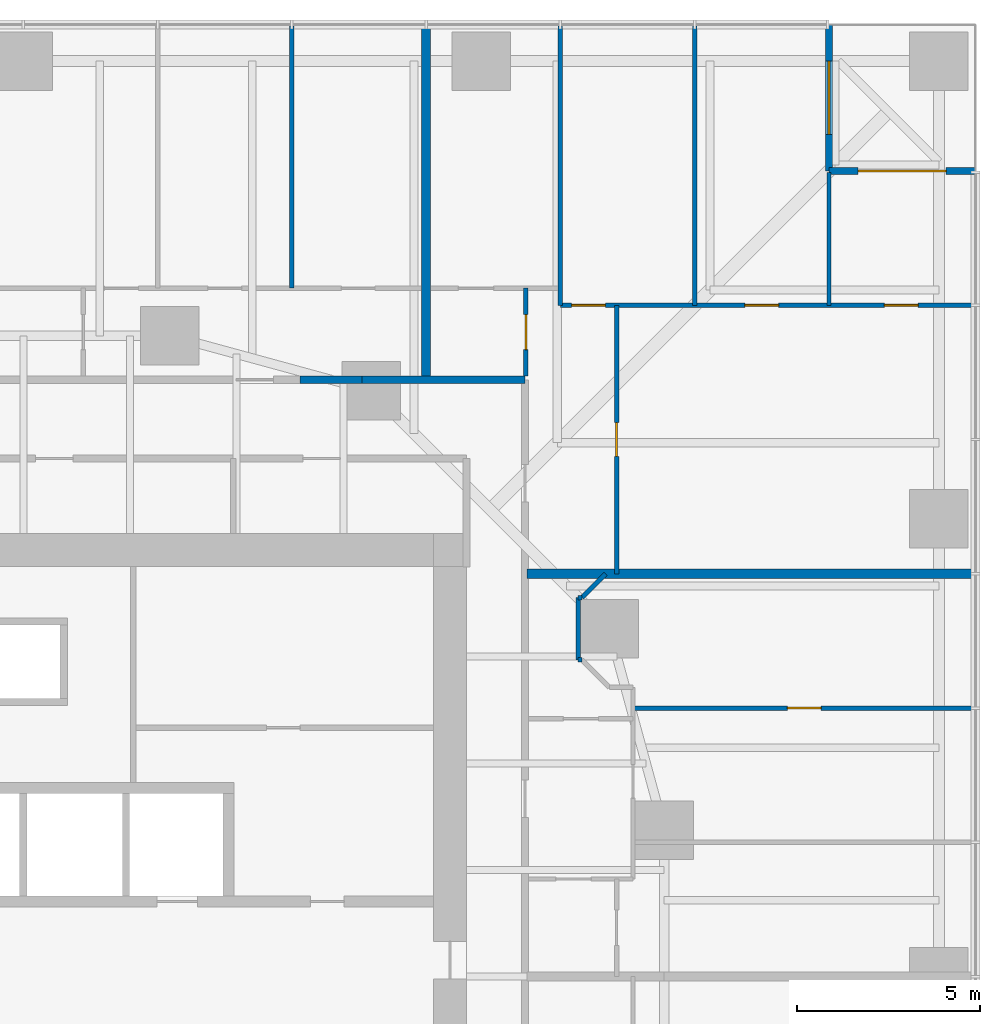
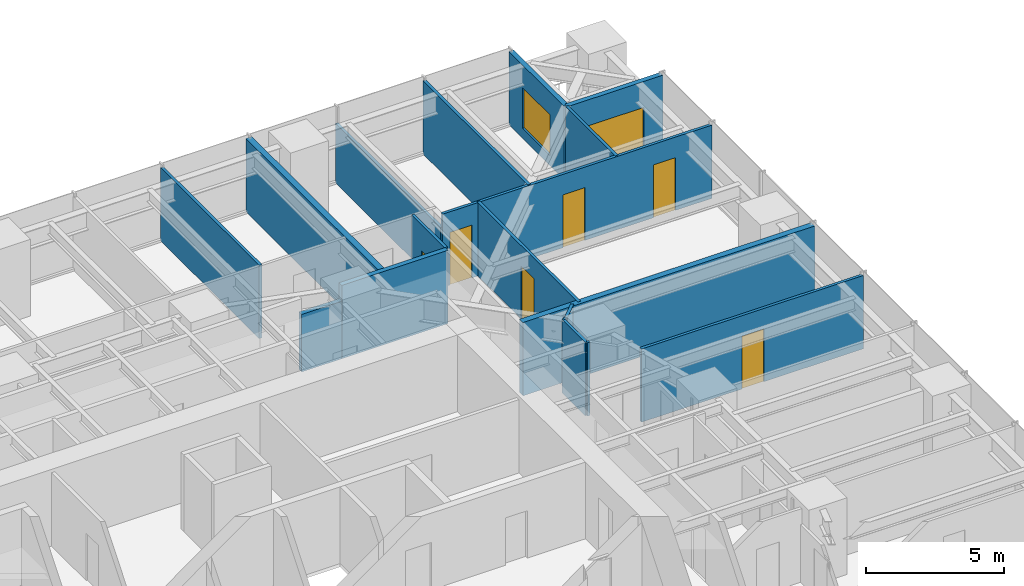
# One storey, part 16 of 18: 18 walls, 7 doors, 1 window, 8 openings.
"""IFC4 building model written with IfcOpenShell, lengths in metres."""

from ifc_helpers import new_model, si_unit, direction, frame, frame_2d, origin, place, context, subcontext, project, spatial, rectangle, extrude, material, layer, layer_set, type_object, element, fill, save


model = new_model("IFC4")

# Units and contexts
model_context = context("Model", 3, precision=1e-05, world=origin(), true_north=direction((0.0, 1.0)))
body_context = subcontext(model_context, "Body", "Model", "MODEL_VIEW")
ifc_project = project(units=[si_unit("LENGTHUNIT", "METRE"), si_unit("AREAUNIT", "SQUARE_METRE"), si_unit("VOLUMEUNIT", "CUBIC_METRE"), si_unit("PLANEANGLEUNIT", "RADIAN"), si_unit("MASSUNIT", "GRAM", prefix="KILO")], contexts=[model_context])

# Site, building, storey
site_placement = place(None, origin())
site = spatial("IfcSite", under=ifc_project, at=site_placement, CompositionType="ELEMENT")
building_placement = place(site_placement, origin())
building = spatial("IfcBuilding", under=site, at=building_placement, Name="Torsade Residences", CompositionType="ELEMENT")
storey_placement = place(building_placement, frame((0.0, 0.0, 28.60009765625)))
storey = spatial("IfcBuildingStorey", under=building, at=storey_placement, Name="L07", CompositionType="ELEMENT", Elevation=28.60009765625)

# Walls
ifc_material_1 = material(Name="Plasterboard on steel stud", Category="steel")
ifc_layer_1 = layer(ifc_material_1, 0.199951171875)
ifc_layer_set_1 = layer_set([ifc_layer_1], Name="Plasterboard on steel stud")
wall_type_1 = type_object("IfcWallType", Name="CORRIDOR WALL 200", PredefinedType="PARTITIONING", material=ifc_layer_set_1)
wall_1_placement = place(storey_placement, frame((53.699951171875, 46.300048828125, 0.0), z_axis=(0.0, 0.0, 1.0), x_axis=(-1.0, 0.0, 0.0)))
element("IfcWall", 1, at=wall_1_placement, inside=storey, type_object=wall_type_1, Name="Corridor wall L07", PredefinedType="PARTITIONING", context=body_context, shape_type="SweptSolid", body=[
    extrude(rectangle(XDim=4.458251953125, YDim=0.199951171875, at=frame_2d((2.22900390625, 0.0))), origin(), (0.0, 0.0, 1.0), 3.25),
])
wall_2_placement = place(storey_placement, frame((49.24169921875, 46.300048828125, 0.0), z_axis=(0.0, 0.0, 1.0), x_axis=(-1.0, 0.0, 0.0)))
element("IfcWall", 2, at=wall_2_placement, inside=storey, type_object=wall_type_1, Name="Corridor wall L07", PredefinedType="PARTITIONING", context=body_context, shape_type="SweptSolid", body=[
    extrude(rectangle(XDim=1.683349609375, YDim=0.199951171875, at=frame_2d((0.841796875, 0.0))), origin(), (0.0, 0.0, 1.0), 2.5498046875),
])
ifc_material_2 = material(Name="Plasterboard on steel stud", Category="steel")
ifc_layer_2 = layer(ifc_material_2, 0.1201171875)
ifc_layer_set_2 = layer_set([ifc_layer_2], Name="Plasterboard on steel stud")
wall_type_2 = type_object("IfcWallType", Name="PARTITION 120", PredefinedType="PARTITIONING", material=ifc_layer_set_2)
wall_3_placement = place(storey_placement, frame((55.89990234375, 41.0, 0.0), z_axis=(0.0, 0.0, 1.0), x_axis=(-0.707106781187, -0.707106781187, 0.0)))
element("IfcWall", 3, at=wall_3_placement, inside=storey, type_object=wall_type_2, Name="Partition L07", PredefinedType="PARTITIONING", context=body_context, shape_type="SweptSolid", body=[
    extrude(rectangle(XDim=0.919189453125, YDim=0.1201171875, at=frame_2d((0.45947265625, 0.0))), origin(), (0.0, 0.0, 1.0), 3.25),
])
wall_4_placement = place(storey_placement, frame((55.14990234375, 40.35009765625, 0.0), z_axis=(0.0, 0.0, 1.0), x_axis=(0.0, -1.0, 0.0)))
element("IfcWall", 4, at=wall_4_placement, inside=storey, type_object=wall_type_2, Name="Partition L07", PredefinedType="PARTITIONING", context=body_context, shape_type="SweptSolid", body=[
    extrude(rectangle(XDim=1.7001953125, YDim=0.1201171875, at=frame_2d((0.85009765625, 0.0))), origin(), (0.0, 0.0, 1.0), 3.25),
])

# Wall, opening, door
wall_5_placement = place(storey_placement, frame((65.9599609375, 37.333251953125, 0.0), z_axis=(0.0, 0.0, 1.0), x_axis=(-1.0, 0.0, 0.0)))
wall_5 = element("IfcWall", 5, at=wall_5_placement, inside=storey, type_object=wall_type_2, Name="Partition L07", PredefinedType="PARTITIONING", context=body_context, shape_type="SweptSolid", body=[
    extrude(rectangle(XDim=9.31005859375, YDim=0.1201171875, at=frame_2d((4.655029296875, 0.0))), origin(), (0.0, 0.0, 1.0), 3.25),
])
opening_1_placement = place(wall_5_placement, frame((4.175048828125, 0.0, 0.0)))
opening_1 = element("IfcOpeningElement", 6, at=opening_1_placement, cuts=wall_5, Name="Opening D02", PredefinedType="OPENING", context=body_context, shape_type="SweptSolid", body=[
    extrude(rectangle(XDim=0.919921875, YDim=2.340087890625, at=frame_2d((0.4599609375, 1.169921875))), frame((0.0, 0.070068359375, 0.0), z_axis=(0.0, -1.0, 0.0), x_axis=(1.0, 0.0, 0.0)), (0.0, 0.0, 1.0), 0.14013671875),
])
ifc_material_3 = material(Name="Hollow-core timber door", Category="wood")
door_type_1 = type_object("IfcDoorType", Name="INTERNAL DOOR 920x2340", OperationType="NOTDEFINED", PredefinedType="DOOR", material=ifc_material_3)
door_1_placement = place(opening_1_placement, origin())
door_1 = element("IfcDoor", 7, at=door_1_placement, inside=storey, type_object=door_type_1, Name="Door Bedroom 2 to Bedroom 1", OperationType="SINGLE_SWING_LEFT", OverallHeight=2.340087890625, OverallWidth=0.919921875, PredefinedType="DOOR", context=body_context, shape_type="SweptSolid", body=[
    extrude(rectangle(XDim=0.919921875, YDim=2.340087890625, at=frame_2d((0.4599609375, 1.169921875))), frame((0.0, 0.02490234375, 0.0), z_axis=(0.0, -1.0, 0.0), x_axis=(1.0, 0.0, 0.0)), (0.0, 0.0, 1.0), 0.050048828125),
])
fill(opening_1, door_1)

wall_6_placement = place(storey_placement, frame((53.724365234375, 46.39990234375, 0.0), z_axis=(0.0, 0.0, 1.0), x_axis=(0.0, 1.0, 0.0)))
wall_6 = element("IfcWall", 8, at=wall_6_placement, inside=storey, type_object=wall_type_2, Name="Partition L07", PredefinedType="PARTITIONING", context=body_context, shape_type="SweptSolid", body=[
    extrude(rectangle(XDim=2.400146484375, YDim=0.1201171875, at=frame_2d((1.2001953125, 0.0))), origin(), (0.0, 0.0, 1.0), 3.25),
])
opening_2_placement = place(wall_6_placement, frame((0.719970703125, 0.0, 0.0)))
opening_2 = element("IfcOpeningElement", 9, at=opening_2_placement, cuts=wall_6, Name="Opening D05", PredefinedType="OPENING", context=body_context, shape_type="SweptSolid", body=[
    extrude(rectangle(XDim=0.9599609375, YDim=2.10009765625, at=frame_2d((0.47998046875, 1.050048828125))), frame((0.0, 0.070068359375, 0.0), z_axis=(0.0, -1.0, 0.0), x_axis=(1.0, 0.0, 0.0)), (0.0, 0.0, 1.0), 0.14013671875),
])
ifc_material_4 = material(Name="Hollow-core timber door in a steel cavity frame", Category="steel")
door_type_2 = type_object("IfcDoorType", Name="BATHROOM CAVITY SLIDING DOOR 960", OperationType="SLIDING_TO_LEFT", PredefinedType="DOOR", material=ifc_material_4)
door_2_placement = place(opening_2_placement, origin())
door_2 = element("IfcDoor", 10, at=door_2_placement, inside=storey, type_object=door_type_2, Name="Door Kitchen and dining to Bathroom", OperationType="SLIDING_TO_LEFT", OverallHeight=2.10009765625, OverallWidth=0.9599609375, PredefinedType="DOOR", context=body_context, shape_type="SweptSolid", body=[
    extrude(rectangle(XDim=0.9599609375, YDim=2.10009765625, at=frame_2d((0.47998046875, 1.050048828125))), frame((0.0, 0.02490234375, 0.0), z_axis=(0.0, -1.0, 0.0), x_axis=(1.0, 0.0, 0.0)), (0.0, 0.0, 1.0), 0.050048828125),
])
fill(opening_2, door_2)

wall_7_placement = place(storey_placement, frame((56.199951171875, 48.333251953125, 0.0), z_axis=(0.0, 0.0, 1.0), x_axis=(0.0, -1.0, 0.0)))
wall_7 = element("IfcWall", 11, at=wall_7_placement, inside=storey, type_object=wall_type_2, Name="Partition L07", PredefinedType="PARTITIONING", context=body_context, shape_type="SweptSolid", body=[
    extrude(rectangle(XDim=7.333251953125, YDim=0.1201171875, at=frame_2d((3.66650390625, 0.0))), origin(), (0.0, 0.0, 1.0), 3.25),
])
opening_3_placement = place(wall_7_placement, frame((3.20654296875, 0.0, 0.0)))
opening_3 = element("IfcOpeningElement", 12, at=opening_3_placement, cuts=wall_7, Name="Opening D02", PredefinedType="OPENING", context=body_context, shape_type="SweptSolid", body=[
    extrude(rectangle(XDim=0.919921875, YDim=2.340087890625, at=frame_2d((0.4599609375, 1.169921875))), frame((0.0, 0.070068359375, 0.0), z_axis=(0.0, -1.0, 0.0), x_axis=(1.0, 0.0, 0.0)), (0.0, 0.0, 1.0), 0.14013671875),
])
door_3_placement = place(opening_3_placement, origin())
door_3 = element("IfcDoor", 13, at=door_3_placement, inside=storey, type_object=door_type_1, Name="Door Kitchen and dining to Living room", OperationType="SINGLE_SWING_RIGHT", OverallHeight=2.340087890625, OverallWidth=0.919921875, PredefinedType="DOOR", context=body_context, shape_type="SweptSolid", body=[
    extrude(rectangle(XDim=0.919921875, YDim=2.340087890625, at=frame_2d((0.4599609375, 1.169921875))), frame((0.0, 0.02490234375, 0.0), z_axis=(0.0, -1.0, 0.0), x_axis=(1.0, 0.0, 0.0)), (0.0, 0.0, 1.0), 0.050048828125),
])
fill(opening_3, door_3)

# Wall
wall_8_placement = place(storey_placement, frame((54.666748046875, 55.9599609375, 0.0), z_axis=(0.0, 0.0, 1.0), x_axis=(0.0, -1.0, 0.0)))
element("IfcWall", 14, at=wall_8_placement, inside=storey, type_object=wall_type_2, Name="Partition L07", PredefinedType="PARTITIONING", context=body_context, shape_type="SweptSolid", body=[
    extrude(rectangle(XDim=7.626708984375, YDim=0.1201171875, at=frame_2d((3.8134765625, 0.0))), origin(), (0.0, 0.0, 1.0), 2.637939453125),
])

# Wall, openings, doors
wall_9_placement = place(storey_placement, frame((54.666748046875, 48.333251953125, 0.0), z_axis=(0.0, 0.0, 1.0), x_axis=(1.0, 0.0, 0.0)))
wall_9 = element("IfcWall", 15, at=wall_9_placement, inside=storey, type_object=wall_type_2, Name="Partition L07", PredefinedType="PARTITIONING", context=body_context, shape_type="SweptSolid", body=[
    extrude(rectangle(XDim=11.293212890625, YDim=0.1201171875, at=frame_2d((5.646484375, 0.0))), origin(), (0.0, 0.0, 1.0), 3.25),
])
opening_4_placement = place(wall_9_placement, frame((0.306640625, 0.0, 0.0)))
opening_4 = element("IfcOpeningElement", 16, at=opening_4_placement, cuts=wall_9, Name="Opening D02", PredefinedType="OPENING", context=body_context, shape_type="SweptSolid", body=[
    extrude(rectangle(XDim=0.919921875, YDim=2.340087890625, at=frame_2d((0.4599609375, 1.169921875))), frame((0.0, 0.070068359375, 0.0), z_axis=(0.0, -1.0, 0.0), x_axis=(1.0, 0.0, 0.0)), (0.0, 0.0, 1.0), 0.14013671875),
])
opening_5_placement = place(wall_9_placement, frame((8.848388671875, 0.0, 0.0)))
opening_5 = element("IfcOpeningElement", 17, at=opening_5_placement, cuts=wall_9, Name="Opening D02", PredefinedType="OPENING", context=body_context, shape_type="SweptSolid", body=[
    extrude(rectangle(XDim=0.919921875, YDim=2.340087890625, at=frame_2d((0.4599609375, 1.169921875))), frame((0.0, 0.070068359375, 0.0), z_axis=(0.0, -1.0, 0.0), x_axis=(1.0, 0.0, 0.0)), (0.0, 0.0, 1.0), 0.14013671875),
])
opening_6_placement = place(wall_9_placement, frame((5.0400390625, 0.0, 0.0)))
opening_6 = element("IfcOpeningElement", 18, at=opening_6_placement, cuts=wall_9, Name="Opening D02", PredefinedType="OPENING", context=body_context, shape_type="SweptSolid", body=[
    extrude(rectangle(XDim=0.919921875, YDim=2.340087890625, at=frame_2d((0.4599609375, 1.169921875))), frame((0.0, 0.070068359375, 0.0), z_axis=(0.0, -1.0, 0.0), x_axis=(1.0, 0.0, 0.0)), (0.0, 0.0, 1.0), 0.14013671875),
])
door_4_placement = place(opening_4_placement, origin())
door_4 = element("IfcDoor", 19, at=door_4_placement, inside=storey, type_object=door_type_1, Name="Door Kitchen and dining to Bedroom 2", OperationType="SINGLE_SWING_LEFT", OverallHeight=2.340087890625, OverallWidth=0.919921875, PredefinedType="DOOR", context=body_context, shape_type="SweptSolid", body=[
    extrude(rectangle(XDim=0.919921875, YDim=2.340087890625, at=frame_2d((0.4599609375, 1.169921875))), frame((0.0, 0.02490234375, 0.0), z_axis=(0.0, -1.0, 0.0), x_axis=(1.0, 0.0, 0.0)), (0.0, 0.0, 1.0), 0.050048828125),
])
fill(opening_4, door_4)
door_5_placement = place(opening_5_placement, origin())
door_5 = element("IfcDoor", 20, at=door_5_placement, inside=storey, type_object=door_type_1, Name="Door Living room to Family room", OperationType="SINGLE_SWING_LEFT", OverallHeight=2.340087890625, OverallWidth=0.919921875, PredefinedType="DOOR", context=body_context, shape_type="SweptSolid", body=[
    extrude(rectangle(XDim=0.919921875, YDim=2.340087890625, at=frame_2d((0.4599609375, 1.169921875))), frame((0.0, 0.02490234375, 0.0), z_axis=(0.0, -1.0, 0.0), x_axis=(1.0, 0.0, 0.0)), (0.0, 0.0, 1.0), 0.050048828125),
])
fill(opening_5, door_5)
door_6_placement = place(opening_6_placement, origin())
door_6 = element("IfcDoor", 21, at=door_6_placement, inside=storey, type_object=door_type_1, Name="Door Living room to Bedroom 1", OperationType="SINGLE_SWING_RIGHT", OverallHeight=2.340087890625, OverallWidth=0.919921875, PredefinedType="DOOR", context=body_context, shape_type="SweptSolid", body=[
    extrude(rectangle(XDim=0.919921875, YDim=2.340087890625, at=frame_2d((0.4599609375, 1.169921875))), frame((0.0, 0.02490234375, 0.0), z_axis=(0.0, -1.0, 0.0), x_axis=(1.0, 0.0, 0.0)), (0.0, 0.0, 1.0), 0.050048828125),
])
fill(opening_6, door_6)

# Walls
wall_10_placement = place(storey_placement, frame((58.333251953125, 48.333251953125, 0.0), z_axis=(0.0, 0.0, 1.0), x_axis=(0.0, 1.0, 0.0)))
element("IfcWall", 22, at=wall_10_placement, inside=storey, type_object=wall_type_2, Name="Partition L07", PredefinedType="PARTITIONING", context=body_context, shape_type="SweptSolid", body=[
    extrude(rectangle(XDim=7.626708984375, YDim=0.1201171875, at=frame_2d((3.8134765625, 0.0))), origin(), (0.0, 0.0, 1.0), 3.25),
])
wall_11_placement = place(storey_placement, frame((62.0, 51.9599609375, 0.0), z_axis=(0.0, 0.0, 1.0), x_axis=(0.0, -1.0, 0.0)))
element("IfcWall", 23, at=wall_11_placement, inside=storey, type_object=wall_type_2, Name="Partition L07", PredefinedType="PARTITIONING", context=body_context, shape_type="SweptSolid", body=[
    extrude(rectangle(XDim=3.626708984375, YDim=0.1201171875, at=frame_2d((1.8134765625, 0.0))), origin(), (0.0, 0.0, 1.0), 3.25),
])
wall_12_placement = place(storey_placement, frame((47.333251953125, 48.800048828125, 0.0), z_axis=(0.0, 0.0, 1.0), x_axis=(0.0, 1.0, 0.0)))
element("IfcWall", 24, at=wall_12_placement, inside=storey, type_object=wall_type_2, Name="Partition L07", PredefinedType="PARTITIONING", context=body_context, shape_type="SweptSolid", body=[
    extrude(rectangle(XDim=7.159912109375, YDim=0.1201171875, at=frame_2d((3.580078125, 0.0))), origin(), (0.0, 0.0, 1.0), 3.25),
])
for number, where, z_axis, x_axis, name in (
    (25, (55.14990234375, 40.35009765625, 0.0), (0.0, 0.0, 1.0), (1.0, 0.0, 0.0), "Partition L07"),
    (26, (55.14990234375, 38.64990234375, 0.0), (0.0, 0.0, 1.0), (1.0, 0.0, 0.0), "Partition L07"),
):
    element("IfcWall", number, at=place(storey_placement, frame(where, z_axis=z_axis, x_axis=x_axis)), inside=storey, type_object=wall_type_2, Name=name, PredefinedType="PARTITIONING", context=body_context, shape_type="SweptSolid", body=[
        extrude(rectangle(XDim=0.10009765625, YDim=0.1201171875, at=frame_2d((0.050048828125, 0.0))), origin(), (0.0, 0.0, 1.0), 3.25),
    ])
ifc_material_5 = material(Name="Masonry-lined stud party wall", Category="masonry")
ifc_layer_3 = layer(ifc_material_5, 0.25)
ifc_layer_set_3 = layer_set([ifc_layer_3], Name="Masonry-lined stud party wall")
wall_type_3 = type_object("IfcWallType", Name="PARTY WALL 250", PredefinedType="PARTITIONING", material=ifc_layer_set_3)
wall_13_placement = place(storey_placement, frame((66.0, 41.0, 0.0), z_axis=(0.0, 0.0, 1.0), x_axis=(-1.0, 0.0, 0.0)))
element("IfcWall", 27, at=wall_13_placement, inside=storey, type_object=wall_type_3, Name="Party wall L07", PredefinedType="PARTITIONING", context=body_context, shape_type="SweptSolid", body=[
    extrude(rectangle(XDim=12.239990234375, YDim=0.25, at=frame_2d((6.1201171875, 0.0))), origin(), (0.0, 0.0, 1.0), 3.25),
])
wall_14_placement = place(storey_placement, frame((51.0, 56.0, 0.0), z_axis=(0.0, 0.0, 1.0), x_axis=(0.0, -1.0, 0.0)))
element("IfcWall", 28, at=wall_14_placement, inside=storey, type_object=wall_type_3, Name="Party wall L07", PredefinedType="PARTITIONING", context=body_context, shape_type="SweptSolid", body=[
    extrude(rectangle(XDim=9.639892578125, YDim=0.25, at=frame_2d((4.81982421875, 0.0))), origin(), (0.0, 0.0, 1.0), 3.25),
])

# Wall, opening, door
ifc_material_6 = material(Name="Stone-faced precast concrete 40 MPa panel", Category="masonry")
ifc_layer_4 = layer(ifc_material_6, 0.199951171875)
ifc_layer_set_4 = layer_set([ifc_layer_4], Name="Stone-faced precast concrete 40 MPa panel")
wall_type_4 = type_object("IfcWallType", Name="TERRACE WALL 200", PredefinedType="SOLIDWALL", material=ifc_layer_set_4)
wall_15_placement = place(storey_placement, frame((66.0, 52.0, 0.0), z_axis=(0.0, 0.0, 1.0), x_axis=(-1.0, 0.0, 0.0)))
wall_15 = element("IfcWall", 29, at=wall_15_placement, inside=storey, type_object=wall_type_4, Name="Terrace wall L07 5", PredefinedType="SOLIDWALL", context=body_context, shape_type="SweptSolid", body=[
    extrude(rectangle(XDim=4.0, YDim=0.199951171875, at=frame_2d((2.0, 0.0))), origin(), (0.0, 0.0, 1.0), 3.25),
])
opening_7_placement = place(wall_15_placement, frame((0.800048828125, 0.0, 0.0)))
opening_7 = element("IfcOpeningElement", 30, at=opening_7_placement, cuts=wall_15, Name="Opening D10A", PredefinedType="OPENING", context=body_context, shape_type="SweptSolid", body=[
    extrude(rectangle(XDim=2.39990234375, YDim=2.10009765625, at=frame_2d((1.199951171875, 1.050048828125))), frame((0.0, 0.10986328125, 0.0), z_axis=(0.0, -1.0, 0.0), x_axis=(1.0, 0.0, 0.0)), (0.0, 0.0, 1.0), 0.219970703125),
])
ifc_material_7 = material(Name="Aluminium-framed glass door", Category="aluminium")
door_type_3 = type_object("IfcDoorType", Name="TERRACE SLIDING DOOR 2400x2100", OperationType="SLIDING_TO_LEFT", PredefinedType="DOOR", material=ifc_material_7)
door_7_placement = place(opening_7_placement, origin())
door_7 = element("IfcDoor", 31, at=door_7_placement, inside=storey, type_object=door_type_3, Name="Terrace door L07 5", OperationType="SLIDING_TO_LEFT", OverallHeight=2.10009765625, OverallWidth=2.39990234375, PredefinedType="DOOR", context=body_context, shape_type="SweptSolid", body=[
    extrude(rectangle(XDim=2.39990234375, YDim=2.10009765625, at=frame_2d((1.199951171875, 1.050048828125))), frame((0.0, 0.02490234375, 0.0), z_axis=(0.0, -1.0, 0.0), x_axis=(1.0, 0.0, 0.0)), (0.0, 0.0, 1.0), 0.050048828125),
])
fill(opening_7, door_7)

# Wall, opening, window
wall_16_placement = place(storey_placement, frame((62.0, 52.0, 0.0), z_axis=(0.0, 0.0, 1.0), x_axis=(0.0, 1.0, 0.0)))
wall_16 = element("IfcWall", 32, at=wall_16_placement, inside=storey, type_object=wall_type_4, Name="Terrace wall L07 6", PredefinedType="SOLIDWALL", context=body_context, shape_type="SweptSolid", body=[
    extrude(rectangle(XDim=4.0, YDim=0.199951171875, at=frame_2d((2.0, 0.0))), origin(), (0.0, 0.0, 1.0), 3.25),
])
opening_8_placement = place(wall_16_placement, frame((1.0, 0.0, 0.449951171875)))
opening_8 = element("IfcOpeningElement", 33, at=opening_8_placement, cuts=wall_16, Name="Opening W1B", PredefinedType="OPENING", context=body_context, shape_type="SweptSolid", body=[
    extrude(rectangle(XDim=2.0, YDim=1.800048828125, at=frame_2d((1.0, 0.89990234375))), frame((0.0, 0.10986328125, 0.0), z_axis=(0.0, -1.0, 0.0), x_axis=(1.0, 0.0, 0.0)), (0.0, 0.0, 1.0), 0.219970703125),
])
ifc_material_8 = material(Name="Aluminium-framed glass window", Category="aluminium")
window_type = type_object("IfcWindowType", Name="TERRACE WINDOW 2000x1800", PartitioningType="SINGLE_PANEL", PredefinedType="WINDOW", material=ifc_material_8)
window_placement = place(opening_8_placement, origin())
window = element("IfcWindow", 34, at=window_placement, inside=storey, type_object=window_type, Name="Terrace window L07 6", OverallHeight=1.800048828125, OverallWidth=2.0, PartitioningType="SINGLE_PANEL", PredefinedType="WINDOW", context=body_context, shape_type="SweptSolid", body=[
    extrude(rectangle(XDim=2.0, YDim=1.800048828125, at=frame_2d((1.0, 0.89990234375))), frame((0.0, 0.030029296875, 0.0), z_axis=(0.0, -1.0, 0.0), x_axis=(1.0, 0.0, 0.0)), (0.0, 0.0, 1.0), 0.06005859375),
])
fill(opening_8, window)

save(model, "model.ifc")
